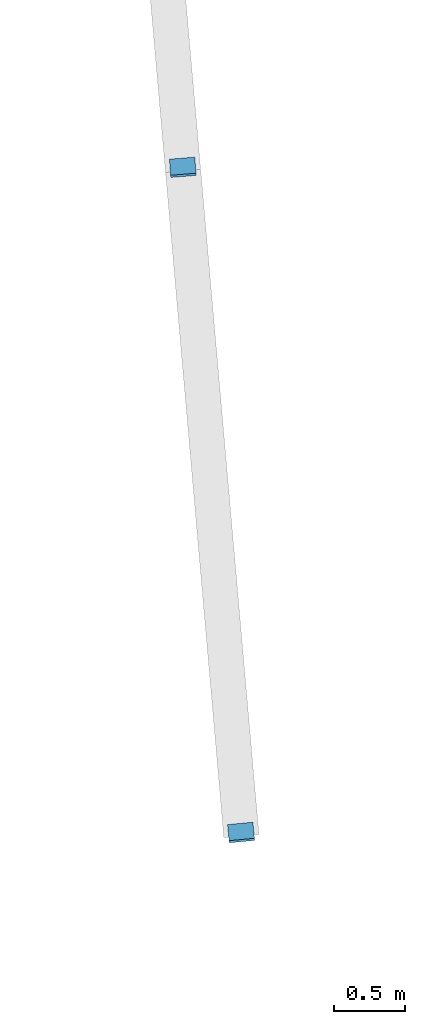
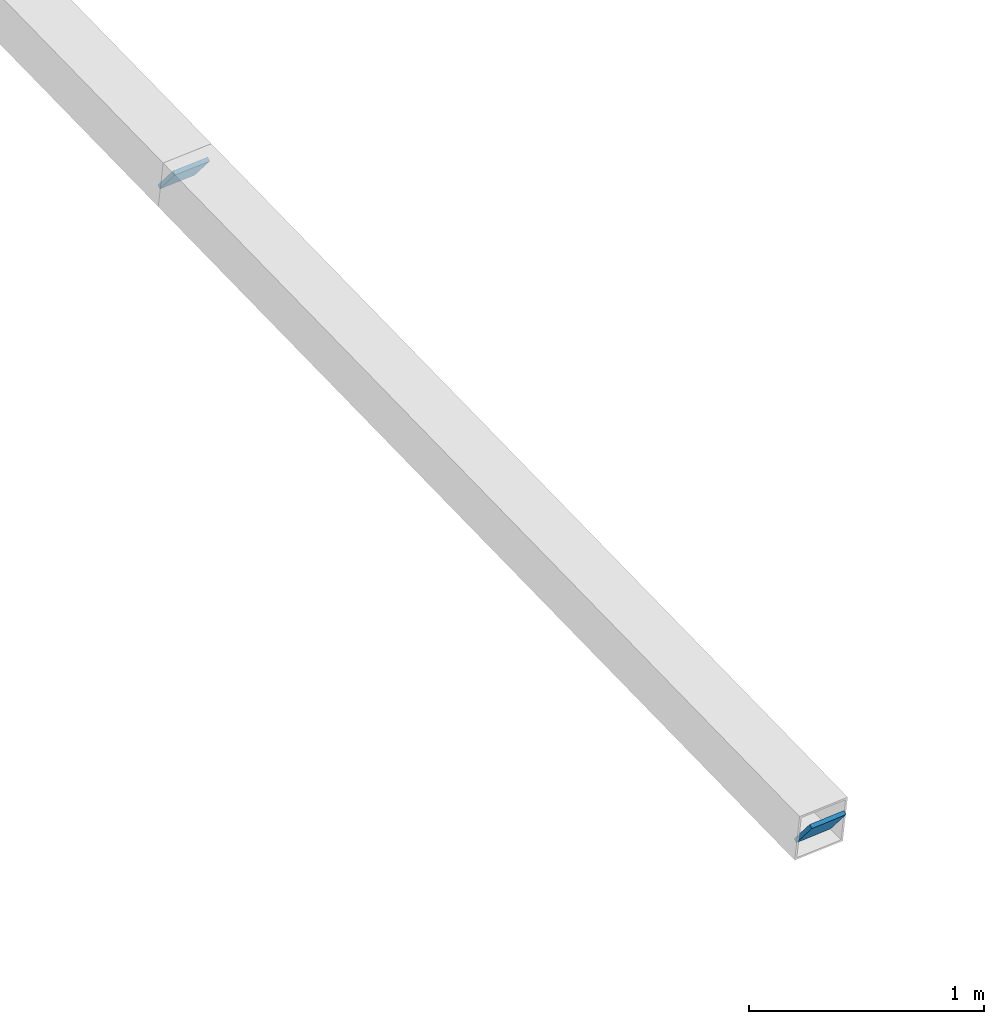
# One storey, part 165 of 188: 2 discrete accessories.
"""IFC4 building model written with IfcOpenShell, lengths in metres."""

from ifc_helpers import new_model, si_unit, direction, frame, origin, origin_2d, place, context, subcontext, project, spatial, rectangle, extrude, material, material_profile, profile_set, type_object, element, save


model = new_model("IFC4")

# Units and contexts
model_context = context("Model", 3, precision=1e-05, world=origin(), true_north=direction((0.0, 1.0)))
body_context = subcontext(model_context, "Body", "Model", "MODEL_VIEW")
ifc_project = project(units=[si_unit("LENGTHUNIT", "METRE"), si_unit("AREAUNIT", "SQUARE_METRE"), si_unit("VOLUMEUNIT", "CUBIC_METRE"), si_unit("PLANEANGLEUNIT", "RADIAN"), si_unit("MASSUNIT", "GRAM", prefix="KILO")], contexts=[model_context])

# Site, building, storey
site_placement = place(None, origin())
site = spatial("IfcSite", under=ifc_project, at=site_placement, CompositionType="ELEMENT")
building_placement = place(site_placement, origin())
building = spatial("IfcBuilding", under=site, at=building_placement, Name="Meseta Stadium", CompositionType="ELEMENT")
storey_placement = place(building_placement, frame((0.0, 0.0, 30.0)))
storey = spatial("IfcBuildingStorey", under=building, at=storey_placement, Name="ROOF", CompositionType="ELEMENT", Elevation=30.0)

# Discrete accessories
ifc_material = material(Name="Steel S355", Category="steel")
ifc_material_profile = material_profile(ifc_material, rectangle(XDim=0.179931640625, YDim=0.179931640625, at=origin_2d()), Name="PL 180x180")
ifc_profile_set = profile_set([ifc_material_profile], Name="Steel S355")
discrete_accessory_type = type_object("IfcDiscreteAccessoryType", Name="End plate 180x180x20", PredefinedType="ANCHORPLATE", material=ifc_profile_set)
for number, where, z_axis, x_axis, name in (
    (1, (-6.045654296875, 80.103271484375, 1.03564453125), (-0.073252483696, 0.769151078803, 0.634854858695), (-0.995495472594, -0.094809092628, 0.0), "End plate of ROOF TRUSS RT-19 diagonal"),
    (2, (-6.458251953125, 84.810546875, 1.72412109375), (-0.061093841343, 0.769782400916, 0.635375949962), (-0.996865392576, -0.079116300998, 0.0), "End plate of ROOF TRUSS RT-19 diagonal"),
):
    element("IfcDiscreteAccessory", number, at=place(storey_placement, frame(where, z_axis=z_axis, x_axis=x_axis)), inside=storey, type_object=discrete_accessory_type, Name=name, PredefinedType="ANCHORPLATE", context=body_context, shape_type="SweptSolid", body=[
        extrude(rectangle(XDim=0.179931640625, YDim=0.179931640625, at=origin_2d()), origin(), (0.0, 0.0, 1.0), 0.02001953125),
    ])

save(model, "model.ifc")
